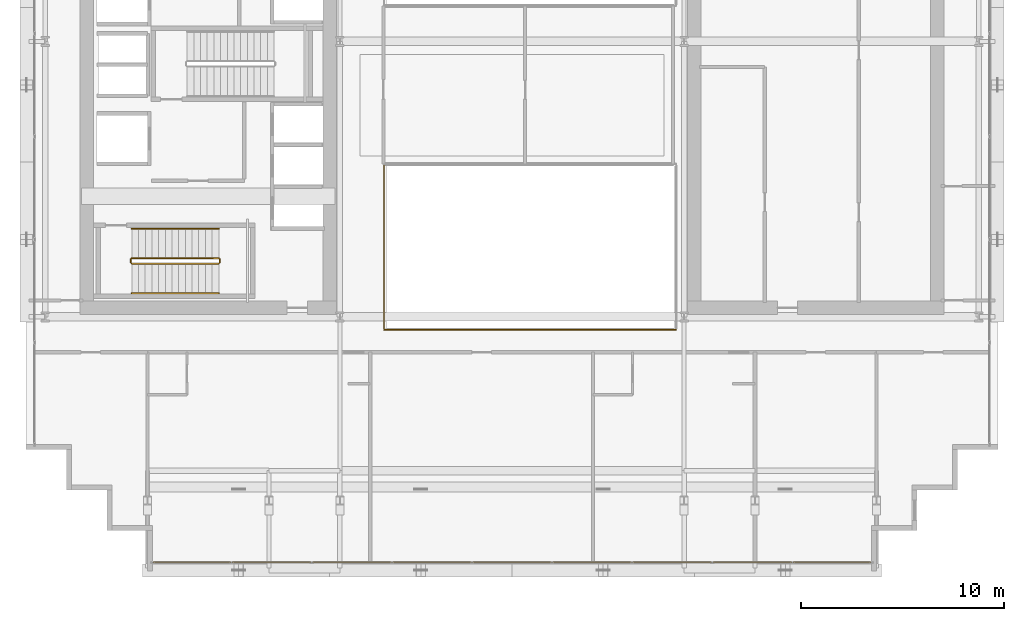
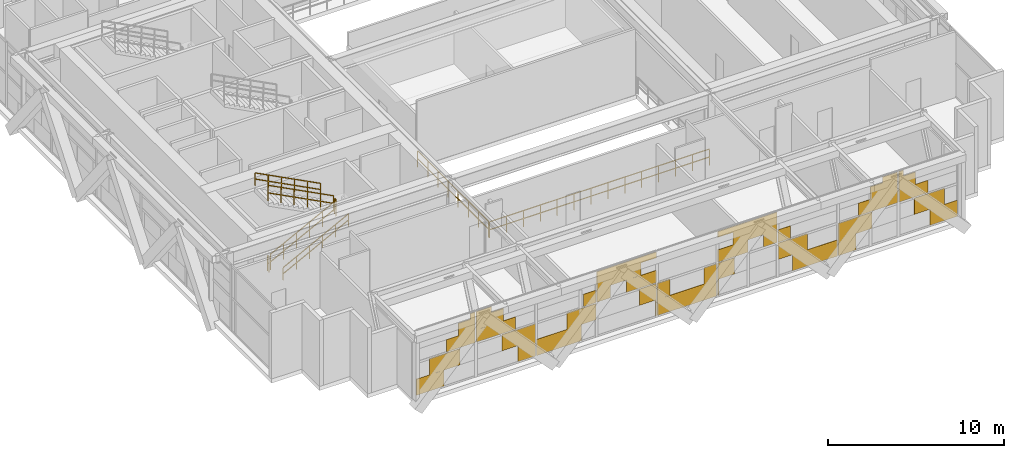
# One storey, part 32 of 35: 8 railings, 1 covering.
"""IFC4 building model written with IfcOpenShell, lengths in metres."""

from ifc_helpers import new_model, si_unit, direction, frame, origin, origin_2d, place, context, subcontext, project, spatial, rectangle, extrude, material, layer, layer_set, type_object, element, save


model = new_model("IFC4")

# Units and contexts
model_context = context("Model", 3, precision=1e-05, world=origin(), true_north=direction((0.0, 1.0)))
body_context = subcontext(model_context, "Body", "Model", "MODEL_VIEW")
ifc_project = project(units=[si_unit("LENGTHUNIT", "METRE"), si_unit("AREAUNIT", "SQUARE_METRE"), si_unit("VOLUMEUNIT", "CUBIC_METRE"), si_unit("PLANEANGLEUNIT", "RADIAN"), si_unit("MASSUNIT", "GRAM", prefix="KILO")], contexts=[model_context])

# Site, building, storey
site_placement = place(None, origin())
site = spatial("IfcSite", under=ifc_project, at=site_placement, CompositionType="ELEMENT")
building_placement = place(site_placement, origin())
building = spatial("IfcBuilding", under=site, at=building_placement, Name="Ocotamira Hotel", CompositionType="ELEMENT")
storey_placement = place(building_placement, frame((0.0, 0.0, 158.39990234375)))
storey = spatial("IfcBuildingStorey", under=building, at=storey_placement, Name="L39", CompositionType="ELEMENT", Elevation=158.39990234375)

# Covering
ifc_material_1 = material(Name="Insulated pale-metal aluminium spandrel panel", Category="aluminium")
ifc_layer = layer(ifc_material_1, 0.044921875)
ifc_layer_set = layer_set([ifc_layer], Name="Insulated pale-metal aluminium spandrel panel")
covering_type = type_object("IfcCoveringType", Name="COV-INFILL-45", PredefinedType="CLADDING", material=ifc_layer_set)
covering_placement = place(storey_placement, origin())
element("IfcCovering", 1, at=covering_placement, inside=storey, type_object=covering_type, Name="L39 Curtain Wall Infill CW-5 CW-L39-S1", PredefinedType="CLADDING", context=body_context, shape_type="SweptSolid", body=[
    extrude(rectangle(XDim=1.7958984375, YDim=0.044921875, at=origin_2d()), frame((15.178466796875, 2.419921875, 0.07568359375), z_axis=(0.0, 0.0, 1.0), x_axis=(1.0, 0.0, 0.0)), (0.0, 0.0, 1.0), 1.117919921875),
    extrude(rectangle(XDim=1.991943359375, YDim=0.044921875, at=origin_2d()), frame((16.118408203125, 2.419921875, 1.1943359375), z_axis=(0.0, 0.0, 1.0), x_axis=(1.0, 0.0, 0.0)), (0.0, 0.0, 1.0), 1.117919921875),
    extrude(rectangle(XDim=1.885009765625, YDim=0.044921875, at=origin_2d()), frame((17.172607421875, 2.419921875, 2.38818359375), z_axis=(0.0, 0.0, 1.0), x_axis=(1.0, 0.0, 0.0)), (0.0, 0.0, 1.0), 0.85546875),
    extrude(rectangle(XDim=1.090576171875, YDim=0.044921875, at=origin_2d()), frame((17.56982421875, 2.419921875, 3.244384765625), z_axis=(0.0, 0.0, 1.0), x_axis=(1.0, 0.0, 0.0)), (0.0, 0.0, 1.0), 0.85546875),
    extrude(rectangle(XDim=0.2958984375, YDim=0.044921875, at=origin_2d()), frame((17.967041015625, 2.419921875, 4.1005859375), z_axis=(0.0, 0.0, 1.0), x_axis=(1.0, 0.0, 0.0)), (0.0, 0.0, 1.0), 0.393798828125),
    extrude(rectangle(XDim=2.184814453125, YDim=0.044921875, at=origin_2d()), frame((20.97802734375, 2.419921875, 1.1943359375), z_axis=(0.0, 0.0, 1.0), x_axis=(1.0, 0.0, 0.0)), (0.0, 0.0, 1.0), 1.117919921875),
    extrude(rectangle(XDim=1.14697265625, YDim=0.044921875, at=origin_2d()), frame((21.497314453125, 2.419921875, 0.07568359375), z_axis=(0.0, 0.0, 1.0), x_axis=(1.0, 0.0, 0.0)), (0.0, 0.0, 1.0), 1.117919921875),
    extrude(rectangle(XDim=2.573974609375, YDim=0.044921875, at=origin_2d()), frame((19.48291015625, 2.419921875, 2.38818359375), z_axis=(0.0, 0.0, 1.0), x_axis=(1.0, 0.0, 0.0)), (0.0, 0.0, 1.0), 0.85546875),
    extrude(rectangle(XDim=1.779296875, YDim=0.044921875, at=origin_2d()), frame((19.085693359375, 2.419921875, 3.244384765625), z_axis=(0.0, 0.0, 1.0), x_axis=(1.0, 0.0, 0.0)), (0.0, 0.0, 1.0), 0.85546875),
    extrude(rectangle(XDim=0.98486328125, YDim=0.044921875, at=origin_2d()), frame((18.6884765625, 2.419921875, 4.1005859375), z_axis=(0.0, 0.0, 1.0), x_axis=(1.0, 0.0, 0.0)), (0.0, 0.0, 1.0), 0.393798828125),
    extrude(rectangle(XDim=2.9248046875, YDim=0.044921875, at=origin_2d()), frame((23.614013671875, 2.419921875, 0.07568359375), z_axis=(0.0, 0.0, 1.0), x_axis=(1.0, 0.0, 0.0)), (0.0, 0.0, 1.0), 1.117919921875),
    extrude(rectangle(XDim=1.90380859375, YDim=0.044921875, at=origin_2d()), frame((25.07421875, 2.419921875, 1.1943359375), z_axis=(0.0, 0.0, 1.0), x_axis=(1.0, 0.0, 0.0)), (0.0, 0.0, 1.0), 1.117919921875),
    extrude(rectangle(XDim=0.796142578125, YDim=0.044921875, at=origin_2d()), frame((25.628173828125, 2.419921875, 2.38818359375), z_axis=(0.0, 0.0, 1.0), x_axis=(1.0, 0.0, 0.0)), (0.0, 0.0, 1.0), 0.85546875),
    extrude(rectangle(XDim=1.095947265625, YDim=0.044921875, at=origin_2d()), frame((29.43359375, 2.419921875, 1.1943359375), z_axis=(0.0, 0.0, 1.0), x_axis=(1.0, 0.0, 0.0)), (0.0, 0.0, 1.0), 1.117919921875),
    extrude(rectangle(XDim=0.05810546875, YDim=0.044921875, at=origin_2d()), frame((29.95263671875, 2.419921875, 0.07568359375), z_axis=(0.0, 0.0, 1.0), x_axis=(1.0, 0.0, 0.0)), (0.0, 0.0, 1.0), 1.117919921875),
    extrude(rectangle(XDim=0.871337890625, YDim=0.044921875, at=origin_2d()), frame((26.542724609375, 2.419921875, 2.38818359375), z_axis=(0.0, 0.0, 1.0), x_axis=(1.0, 0.0, 0.0)), (0.0, 0.0, 1.0), 0.85546875),
    extrude(rectangle(XDim=2.8681640625, YDim=0.044921875, at=origin_2d()), frame((27.541259765625, 2.419921875, 3.244384765625), z_axis=(0.0, 0.0, 1.0), x_axis=(1.0, 0.0, 0.0)), (0.0, 0.0, 1.0), 0.85546875),
    extrude(rectangle(XDim=3.87451171875, YDim=0.044921875, at=origin_2d()), frame((28.04443359375, 2.419921875, 4.1005859375), z_axis=(0.0, 0.0, 1.0), x_axis=(1.0, 0.0, 0.0)), (0.0, 0.0, 1.0), 0.393798828125),
    extrude(rectangle(XDim=1.960205078125, YDim=0.044921875, at=origin_2d()), frame((29.001708984375, 2.419921875, 2.38818359375), z_axis=(0.0, 0.0, 1.0), x_axis=(1.0, 0.0, 0.0)), (0.0, 0.0, 1.0), 0.85546875),
    extrude(rectangle(XDim=3.87451171875, YDim=0.044921875, at=origin_2d()), frame((32.0, 2.419921875, 0.07568359375), z_axis=(0.0, 0.0, 1.0), x_axis=(1.0, 0.0, 0.0)), (0.0, 0.0, 1.0), 1.117919921875),
    extrude(rectangle(XDim=0.81494140625, YDim=0.044921875, at=origin_2d()), frame((30.47021484375, 2.419921875, 1.1943359375), z_axis=(0.0, 0.0, 1.0), x_axis=(1.0, 0.0, 0.0)), (0.0, 0.0, 1.0), 1.117919921875),
    extrude(rectangle(XDim=0.81494140625, YDim=0.044921875, at=origin_2d()), frame((33.52978515625, 2.419921875, 1.1943359375), z_axis=(0.0, 0.0, 1.0), x_axis=(1.0, 0.0, 0.0)), (0.0, 0.0, 1.0), 1.117919921875),
    extrude(rectangle(XDim=0.05810546875, YDim=0.044921875, at=origin_2d()), frame((34.04736328125, 2.419921875, 0.07568359375), z_axis=(0.0, 0.0, 1.0), x_axis=(1.0, 0.0, 0.0)), (0.0, 0.0, 1.0), 1.117919921875),
    extrude(rectangle(XDim=1.095947265625, YDim=0.044921875, at=origin_2d()), frame((34.56640625, 2.419921875, 1.1943359375), z_axis=(0.0, 0.0, 1.0), x_axis=(1.0, 0.0, 0.0)), (0.0, 0.0, 1.0), 1.117919921875),
    extrude(rectangle(XDim=1.960205078125, YDim=0.044921875, at=origin_2d()), frame((34.998291015625, 2.419921875, 2.38818359375), z_axis=(0.0, 0.0, 1.0), x_axis=(1.0, 0.0, 0.0)), (0.0, 0.0, 1.0), 0.85546875),
    extrude(rectangle(XDim=3.87451171875, YDim=0.044921875, at=origin_2d()), frame((35.95556640625, 2.419921875, 4.1005859375), z_axis=(0.0, 0.0, 1.0), x_axis=(1.0, 0.0, 0.0)), (0.0, 0.0, 1.0), 0.393798828125),
    extrude(rectangle(XDim=2.8681640625, YDim=0.044921875, at=origin_2d()), frame((36.458740234375, 2.419921875, 3.244384765625), z_axis=(0.0, 0.0, 1.0), x_axis=(1.0, 0.0, 0.0)), (0.0, 0.0, 1.0), 0.85546875),
    extrude(rectangle(XDim=0.871337890625, YDim=0.044921875, at=origin_2d()), frame((37.457275390625, 2.419921875, 2.38818359375), z_axis=(0.0, 0.0, 1.0), x_axis=(1.0, 0.0, 0.0)), (0.0, 0.0, 1.0), 0.85546875),
    extrude(rectangle(XDim=1.90380859375, YDim=0.044921875, at=origin_2d()), frame((38.92578125, 2.419921875, 1.1943359375), z_axis=(0.0, 0.0, 1.0), x_axis=(1.0, 0.0, 0.0)), (0.0, 0.0, 1.0), 1.117919921875),
    extrude(rectangle(XDim=2.9248046875, YDim=0.044921875, at=origin_2d()), frame((40.385986328125, 2.419921875, 0.07568359375), z_axis=(0.0, 0.0, 1.0), x_axis=(1.0, 0.0, 0.0)), (0.0, 0.0, 1.0), 1.117919921875),
    extrude(rectangle(XDim=0.796142578125, YDim=0.044921875, at=origin_2d()), frame((38.371826171875, 2.419921875, 2.38818359375), z_axis=(0.0, 0.0, 1.0), x_axis=(1.0, 0.0, 0.0)), (0.0, 0.0, 1.0), 0.85546875),
    extrude(rectangle(XDim=1.14697265625, YDim=0.044921875, at=origin_2d()), frame((42.502685546875, 2.419921875, 0.07568359375), z_axis=(0.0, 0.0, 1.0), x_axis=(1.0, 0.0, 0.0)), (0.0, 0.0, 1.0), 1.117919921875),
    extrude(rectangle(XDim=2.184814453125, YDim=0.044921875, at=origin_2d()), frame((43.02197265625, 2.419921875, 1.1943359375), z_axis=(0.0, 0.0, 1.0), x_axis=(1.0, 0.0, 0.0)), (0.0, 0.0, 1.0), 1.117919921875),
    extrude(rectangle(XDim=2.573974609375, YDim=0.044921875, at=origin_2d()), frame((44.51708984375, 2.419921875, 2.38818359375), z_axis=(0.0, 0.0, 1.0), x_axis=(1.0, 0.0, 0.0)), (0.0, 0.0, 1.0), 0.85546875),
    extrude(rectangle(XDim=1.779296875, YDim=0.044921875, at=origin_2d()), frame((44.914306640625, 2.419921875, 3.244384765625), z_axis=(0.0, 0.0, 1.0), x_axis=(1.0, 0.0, 0.0)), (0.0, 0.0, 1.0), 0.85546875),
    extrude(rectangle(XDim=0.98486328125, YDim=0.044921875, at=origin_2d()), frame((45.3115234375, 2.419921875, 4.1005859375), z_axis=(0.0, 0.0, 1.0), x_axis=(1.0, 0.0, 0.0)), (0.0, 0.0, 1.0), 0.393798828125),
    extrude(rectangle(XDim=1.991943359375, YDim=0.044921875, at=origin_2d()), frame((47.881591796875, 2.419921875, 1.1943359375), z_axis=(0.0, 0.0, 1.0), x_axis=(1.0, 0.0, 0.0)), (0.0, 0.0, 1.0), 1.117919921875),
    extrude(rectangle(XDim=1.7958984375, YDim=0.044921875, at=origin_2d()), frame((48.821533203125, 2.419921875, 0.07568359375), z_axis=(0.0, 0.0, 1.0), x_axis=(1.0, 0.0, 0.0)), (0.0, 0.0, 1.0), 1.117919921875),
    extrude(rectangle(XDim=1.885009765625, YDim=0.044921875, at=origin_2d()), frame((46.827392578125, 2.419921875, 2.38818359375), z_axis=(0.0, 0.0, 1.0), x_axis=(1.0, 0.0, 0.0)), (0.0, 0.0, 1.0), 0.85546875),
    extrude(rectangle(XDim=1.090576171875, YDim=0.044921875, at=origin_2d()), frame((46.43017578125, 2.419921875, 3.244384765625), z_axis=(0.0, 0.0, 1.0), x_axis=(1.0, 0.0, 0.0)), (0.0, 0.0, 1.0), 0.85546875),
    extrude(rectangle(XDim=0.2958984375, YDim=0.044921875, at=origin_2d()), frame((46.032958984375, 2.419921875, 4.1005859375), z_axis=(0.0, 0.0, 1.0), x_axis=(1.0, 0.0, 0.0)), (0.0, 0.0, 1.0), 0.393798828125),
])

# Railings
ifc_material_2 = material(Name="Painted steel stair guardrail", Category="steel")
railing_type_1 = type_object("IfcRailingType", Name="RL-EDGE-1150", PredefinedType="GUARDRAIL", material=ifc_material_2)
railing_1_placement = place(storey_placement, frame((25.699951171875, 13.89990234375, 0.0)))
element("IfcRailing", 2, at=railing_1_placement, inside=storey, type_object=railing_type_1, Name="L39 Atrium Bridge Lightwell Guard S S", PredefinedType="GUARDRAIL", context=body_context, shape_type="SweptSolid", body=[
    extrude(rectangle(XDim=0.048095703125, YDim=0.048095703125, at=origin_2d()), frame((0.0, 0.0, 1.1259765625), z_axis=(1.0, 0.0, 0.0), x_axis=(0.0, 1.0, 0.0)), (0.0, 0.0, 1.0), 14.400146484375),
    extrude(rectangle(XDim=0.048095703125, YDim=0.048095703125, at=origin_2d()), frame((0.0, 0.0, 0.574951171875), z_axis=(1.0, 0.0, 0.0), x_axis=(0.0, 1.0, 0.0)), (0.0, 0.0, 1.0), 14.400146484375),
    extrude(rectangle(XDim=0.0419921875, YDim=0.0419921875, at=origin_2d()), origin(), (0.0, 0.0, 1.0), 1.101806640625),
    extrude(rectangle(XDim=0.0419921875, YDim=0.0419921875, at=origin_2d()), frame((1.107666015625, 0.0, 0.0)), (0.0, 0.0, 1.0), 1.101806640625),
    extrude(rectangle(XDim=0.0419921875, YDim=0.0419921875, at=origin_2d()), frame((2.21533203125, 0.0, 0.0)), (0.0, 0.0, 1.0), 1.101806640625),
    extrude(rectangle(XDim=0.0419921875, YDim=0.0419921875, at=origin_2d()), frame((3.322998046875, 0.0, 0.0)), (0.0, 0.0, 1.0), 1.101806640625),
    extrude(rectangle(XDim=0.0419921875, YDim=0.0419921875, at=origin_2d()), frame((4.430908203125, 0.0, 0.0)), (0.0, 0.0, 1.0), 1.101806640625),
    extrude(rectangle(XDim=0.0419921875, YDim=0.0419921875, at=origin_2d()), frame((5.53857421875, 0.0, 0.0)), (0.0, 0.0, 1.0), 1.101806640625),
    extrude(rectangle(XDim=0.0419921875, YDim=0.0419921875, at=origin_2d()), frame((6.646240234375, 0.0, 0.0)), (0.0, 0.0, 1.0), 1.101806640625),
    extrude(rectangle(XDim=0.0419921875, YDim=0.0419921875, at=origin_2d()), frame((7.75390625, 0.0, 0.0)), (0.0, 0.0, 1.0), 1.101806640625),
    extrude(rectangle(XDim=0.0419921875, YDim=0.0419921875, at=origin_2d()), frame((8.861572265625, 0.0, 0.0)), (0.0, 0.0, 1.0), 1.101806640625),
    extrude(rectangle(XDim=0.0419921875, YDim=0.0419921875, at=origin_2d()), frame((9.96923828125, 0.0, 0.0)), (0.0, 0.0, 1.0), 1.101806640625),
    extrude(rectangle(XDim=0.0419921875, YDim=0.0419921875, at=origin_2d()), frame((11.0771484375, 0.0, 0.0)), (0.0, 0.0, 1.0), 1.101806640625),
    extrude(rectangle(XDim=0.0419921875, YDim=0.0419921875, at=origin_2d()), frame((12.184814453125, 0.0, 0.0)), (0.0, 0.0, 1.0), 1.101806640625),
    extrude(rectangle(XDim=0.0419921875, YDim=0.0419921875, at=origin_2d()), frame((13.29248046875, 0.0, 0.0)), (0.0, 0.0, 1.0), 1.101806640625),
    extrude(rectangle(XDim=0.0419921875, YDim=0.0419921875, at=origin_2d()), frame((14.400146484375, 0.0, 0.0)), (0.0, 0.0, 1.0), 1.101806640625),
])
railing_2_placement = place(storey_placement, frame((25.679931640625, 22.02001953125, 0.0)))
element("IfcRailing", 3, at=railing_2_placement, inside=storey, type_object=railing_type_1, Name="L39 Atrium Bridge Lightwell Guard S W", PredefinedType="GUARDRAIL", context=body_context, shape_type="SweptSolid", body=[
    extrude(rectangle(XDim=0.048095703125, YDim=0.048095703125, at=origin_2d()), frame((0.0, 0.0, 1.1259765625), z_axis=(0.0, -1.0, 0.0), x_axis=(1.0, 0.0, 0.0)), (0.0, 0.0, 1.0), 8.0400390625),
    extrude(rectangle(XDim=0.048095703125, YDim=0.048095703125, at=origin_2d()), frame((0.0, 0.0, 0.574951171875), z_axis=(0.0, -1.0, 0.0), x_axis=(1.0, 0.0, 0.0)), (0.0, 0.0, 1.0), 8.0400390625),
    extrude(rectangle(XDim=0.0419921875, YDim=0.0419921875, at=origin_2d()), origin(), (0.0, 0.0, 1.0), 1.101806640625),
    extrude(rectangle(XDim=0.0419921875, YDim=0.0419921875, at=origin_2d()), frame((0.0, -1.148681640625, 0.0)), (0.0, 0.0, 1.0), 1.101806640625),
    extrude(rectangle(XDim=0.0419921875, YDim=0.0419921875, at=origin_2d()), frame((0.0, -2.297119140625, 0.0)), (0.0, 0.0, 1.0), 1.101806640625),
    extrude(rectangle(XDim=0.0419921875, YDim=0.0419921875, at=origin_2d()), frame((0.0, -3.44580078125, 0.0)), (0.0, 0.0, 1.0), 1.101806640625),
    extrude(rectangle(XDim=0.0419921875, YDim=0.0419921875, at=origin_2d()), frame((0.0, -4.59423828125, 0.0)), (0.0, 0.0, 1.0), 1.101806640625),
    extrude(rectangle(XDim=0.0419921875, YDim=0.0419921875, at=origin_2d()), frame((0.0, -5.742919921875, 0.0)), (0.0, 0.0, 1.0), 1.101806640625),
    extrude(rectangle(XDim=0.0419921875, YDim=0.0419921875, at=origin_2d()), frame((0.0, -6.891357421875, 0.0)), (0.0, 0.0, 1.0), 1.101806640625),
    extrude(rectangle(XDim=0.0419921875, YDim=0.0419921875, at=origin_2d()), frame((0.0, -8.0400390625, 0.0)), (0.0, 0.0, 1.0), 1.101806640625),
])
ifc_material_3 = material(Name="Brushed stainless steel handrail", Category="steel")
railing_type_2 = type_object("IfcRailingType", Name="RL-HAND-900", PredefinedType="HANDRAIL", material=ifc_material_3)
railing_3_placement = place(storey_placement, frame((13.22998046875, 15.719970703125, 0.343017578125)))
element("IfcRailing", 4, at=railing_3_placement, inside=storey, type_object=railing_type_2, Name="L39 ST-1 stair handrail 1", PredefinedType="HANDRAIL", context=body_context, shape_type="SweptSolid", body=[
    extrude(rectangle(XDim=0.048095703125, YDim=0.048095703125, at=origin_2d()), frame((0.0, 0.0, 0.8759765625), z_axis=(0.887411858541, 0.0, 0.46097743255), x_axis=(0.0, 1.0, 0.0)), (0.0, 0.0, 1.0), 4.834228515625),
    extrude(rectangle(XDim=0.048095703125, YDim=0.048095703125, at=origin_2d()), frame((0.0, 0.0, 0.449951171875), z_axis=(0.887411858541, 0.0, 0.46097743255), x_axis=(0.0, 1.0, 0.0)), (0.0, 0.0, 1.0), 4.834228515625),
    extrude(rectangle(XDim=0.0419921875, YDim=0.0419921875, at=origin_2d()), origin(), (0.0, 0.0, 1.0), 0.851806640625),
    extrude(rectangle(XDim=0.0419921875, YDim=0.0419921875, at=origin_2d()), frame((0.85791015625, 0.0, 0.44580078125)), (0.0, 0.0, 1.0), 0.851806640625),
    extrude(rectangle(XDim=0.0419921875, YDim=0.0419921875, at=origin_2d()), frame((1.716064453125, 0.0, 0.891357421875)), (0.0, 0.0, 1.0), 0.851806640625),
    extrude(rectangle(XDim=0.0419921875, YDim=0.0419921875, at=origin_2d()), frame((2.573974609375, 0.0, 1.337158203125)), (0.0, 0.0, 1.0), 0.851806640625),
    extrude(rectangle(XDim=0.0419921875, YDim=0.0419921875, at=origin_2d()), frame((3.43212890625, 0.0, 1.78271484375)), (0.0, 0.0, 1.0), 0.851806640625),
    extrude(rectangle(XDim=0.0419921875, YDim=0.0419921875, at=origin_2d()), frame((4.2900390625, 0.0, 2.228515625)), (0.0, 0.0, 1.0), 0.851806640625),
])
railing_4_placement = place(storey_placement, frame((17.52001953125, 18.89990234375, 2.742919921875)))
element("IfcRailing", 5, at=railing_4_placement, inside=storey, type_object=railing_type_2, Name="L39 ST-1 stair handrail 2", PredefinedType="HANDRAIL", context=body_context, shape_type="SweptSolid", body=[
    extrude(rectangle(XDim=0.048095703125, YDim=0.048095703125, at=origin_2d()), frame((0.0, 0.0, 0.8759765625), z_axis=(-0.887411858541, 0.0, 0.46097743255), x_axis=(0.0, -1.0, 0.0)), (0.0, 0.0, 1.0), 4.834228515625),
    extrude(rectangle(XDim=0.048095703125, YDim=0.048095703125, at=origin_2d()), frame((0.0, 0.0, 0.449951171875), z_axis=(-0.887411858541, 0.0, 0.46097743255), x_axis=(0.0, -1.0, 0.0)), (0.0, 0.0, 1.0), 4.834228515625),
    extrude(rectangle(XDim=0.0419921875, YDim=0.0419921875, at=origin_2d()), origin(), (0.0, 0.0, 1.0), 0.851806640625),
    extrude(rectangle(XDim=0.0419921875, YDim=0.0419921875, at=origin_2d()), frame((-0.85791015625, 0.0, 0.44580078125)), (0.0, 0.0, 1.0), 0.851806640625),
    extrude(rectangle(XDim=0.0419921875, YDim=0.0419921875, at=origin_2d()), frame((-1.716064453125, 0.0, 0.891357421875)), (0.0, 0.0, 1.0), 0.851806640625),
    extrude(rectangle(XDim=0.0419921875, YDim=0.0419921875, at=origin_2d()), frame((-2.573974609375, 0.0, 1.337158203125)), (0.0, 0.0, 1.0), 0.851806640625),
    extrude(rectangle(XDim=0.0419921875, YDim=0.0419921875, at=origin_2d()), frame((-3.43212890625, 0.0, 1.78271484375)), (0.0, 0.0, 1.0), 0.851806640625),
    extrude(rectangle(XDim=0.0419921875, YDim=0.0419921875, at=origin_2d()), frame((-4.2900390625, 0.0, 2.228515625)), (0.0, 0.0, 1.0), 0.851806640625),
])
railing_type_3 = type_object("IfcRailingType", Name="RL-STAIR-1100", PredefinedType="GUARDRAIL", material=ifc_material_2)
railing_5_placement = place(storey_placement, frame((13.22998046875, 17.179931640625, 0.171630859375)))
element("IfcRailing", 6, at=railing_5_placement, inside=storey, type_object=railing_type_3, Name="L39 ST-1 stair guard 1", PredefinedType="GUARDRAIL", context=body_context, shape_type="SweptSolid", body=[
    extrude(rectangle(XDim=0.048095703125, YDim=0.048095703125, at=origin_2d()), frame((0.0, 0.0, 1.076171875), z_axis=(0.887411858541, 0.0, 0.46097743255), x_axis=(0.0, 1.0, 0.0)), (0.0, 0.0, 1.0), 4.834228515625),
    extrude(rectangle(XDim=0.048095703125, YDim=0.048095703125, at=origin_2d()), frame((0.0, 0.0, 0.550048828125), z_axis=(0.887411858541, 0.0, 0.46097743255), x_axis=(0.0, 1.0, 0.0)), (0.0, 0.0, 1.0), 4.834228515625),
    extrude(rectangle(XDim=0.0419921875, YDim=0.0419921875, at=origin_2d()), origin(), (0.0, 0.0, 1.0), 1.052001953125),
    extrude(rectangle(XDim=0.0419921875, YDim=0.0419921875, at=origin_2d()), frame((0.85791015625, 0.0, 0.44580078125)), (0.0, 0.0, 1.0), 1.052001953125),
    extrude(rectangle(XDim=0.0419921875, YDim=0.0419921875, at=origin_2d()), frame((1.716064453125, 0.0, 0.891357421875)), (0.0, 0.0, 1.0), 1.052001953125),
    extrude(rectangle(XDim=0.0419921875, YDim=0.0419921875, at=origin_2d()), frame((2.573974609375, 0.0, 1.337158203125)), (0.0, 0.0, 1.0), 1.052001953125),
    extrude(rectangle(XDim=0.0419921875, YDim=0.0419921875, at=origin_2d()), frame((3.43212890625, 0.0, 1.78271484375)), (0.0, 0.0, 1.0), 1.052001953125),
    extrude(rectangle(XDim=0.0419921875, YDim=0.0419921875, at=origin_2d()), frame((4.2900390625, 0.0, 2.228515625)), (0.0, 0.0, 1.0), 1.052001953125),
])
railing_6_placement = place(storey_placement, frame((17.570068359375, 17.22998046875, 2.400146484375)))
element("IfcRailing", 7, at=railing_6_placement, inside=storey, type_object=railing_type_3, Name="L39 ST-1 stair guard 2", PredefinedType="GUARDRAIL", context=body_context, shape_type="SweptSolid", body=[
    extrude(rectangle(XDim=0.048095703125, YDim=0.048095703125, at=origin_2d()), frame((0.0, 0.0, 1.076171875), z_axis=(0.0, 1.0, 0.0), x_axis=(-1.0, 0.0, 0.0)), (0.0, 0.0, 1.0), 0.159912109375),
    extrude(rectangle(XDim=0.048095703125, YDim=0.048095703125, at=origin_2d()), frame((0.0, 0.0, 0.550048828125), z_axis=(0.0, 1.0, 0.0), x_axis=(-1.0, 0.0, 0.0)), (0.0, 0.0, 1.0), 0.159912109375),
    extrude(rectangle(XDim=0.0419921875, YDim=0.0419921875, at=origin_2d()), origin(), (0.0, 0.0, 1.0), 1.052001953125),
    extrude(rectangle(XDim=0.0419921875, YDim=0.0419921875, at=origin_2d()), frame((0.0, 0.159912109375, 0.0)), (0.0, 0.0, 1.0), 1.052001953125),
])
railing_7_placement = place(storey_placement, frame((17.52001953125, 17.43994140625, 2.571533203125)))
element("IfcRailing", 8, at=railing_7_placement, inside=storey, type_object=railing_type_3, Name="L39 ST-1 stair guard 3", PredefinedType="GUARDRAIL", context=body_context, shape_type="SweptSolid", body=[
    extrude(rectangle(XDim=0.048095703125, YDim=0.048095703125, at=origin_2d()), frame((0.0, 0.0, 1.076171875), z_axis=(-0.887411858541, 0.0, 0.46097743255), x_axis=(0.0, -1.0, 0.0)), (0.0, 0.0, 1.0), 4.834228515625),
    extrude(rectangle(XDim=0.048095703125, YDim=0.048095703125, at=origin_2d()), frame((0.0, 0.0, 0.550048828125), z_axis=(-0.887411858541, 0.0, 0.46097743255), x_axis=(0.0, -1.0, 0.0)), (0.0, 0.0, 1.0), 4.834228515625),
    extrude(rectangle(XDim=0.0419921875, YDim=0.0419921875, at=origin_2d()), origin(), (0.0, 0.0, 1.0), 1.052001953125),
    extrude(rectangle(XDim=0.0419921875, YDim=0.0419921875, at=origin_2d()), frame((-0.85791015625, 0.0, 0.44580078125)), (0.0, 0.0, 1.0), 1.052001953125),
    extrude(rectangle(XDim=0.0419921875, YDim=0.0419921875, at=origin_2d()), frame((-1.716064453125, 0.0, 0.891357421875)), (0.0, 0.0, 1.0), 1.052001953125),
    extrude(rectangle(XDim=0.0419921875, YDim=0.0419921875, at=origin_2d()), frame((-2.573974609375, 0.0, 1.337158203125)), (0.0, 0.0, 1.0), 1.052001953125),
    extrude(rectangle(XDim=0.0419921875, YDim=0.0419921875, at=origin_2d()), frame((-3.43212890625, 0.0, 1.78271484375)), (0.0, 0.0, 1.0), 1.052001953125),
    extrude(rectangle(XDim=0.0419921875, YDim=0.0419921875, at=origin_2d()), frame((-4.2900390625, 0.0, 2.228515625)), (0.0, 0.0, 1.0), 1.052001953125),
])
railing_8_placement = place(storey_placement, frame((13.179931640625, 17.22998046875, 0.0)))
element("IfcRailing", 9, at=railing_8_placement, inside=storey, type_object=railing_type_3, Name="L39 ST-1 stair guard 4", PredefinedType="GUARDRAIL", context=body_context, shape_type="SweptSolid", body=[
    extrude(rectangle(XDim=0.048095703125, YDim=0.048095703125, at=origin_2d()), frame((0.0, 0.0, 1.076171875), z_axis=(0.0, 1.0, 0.0), x_axis=(-1.0, 0.0, 0.0)), (0.0, 0.0, 1.0), 0.159912109375),
    extrude(rectangle(XDim=0.048095703125, YDim=0.048095703125, at=origin_2d()), frame((0.0, 0.0, 0.550048828125), z_axis=(0.0, 1.0, 0.0), x_axis=(-1.0, 0.0, 0.0)), (0.0, 0.0, 1.0), 0.159912109375),
    extrude(rectangle(XDim=0.0419921875, YDim=0.0419921875, at=origin_2d()), origin(), (0.0, 0.0, 1.0), 1.052001953125),
    extrude(rectangle(XDim=0.0419921875, YDim=0.0419921875, at=origin_2d()), frame((0.0, 0.159912109375, 0.0)), (0.0, 0.0, 1.0), 1.052001953125),
])

save(model, "model.ifc")
